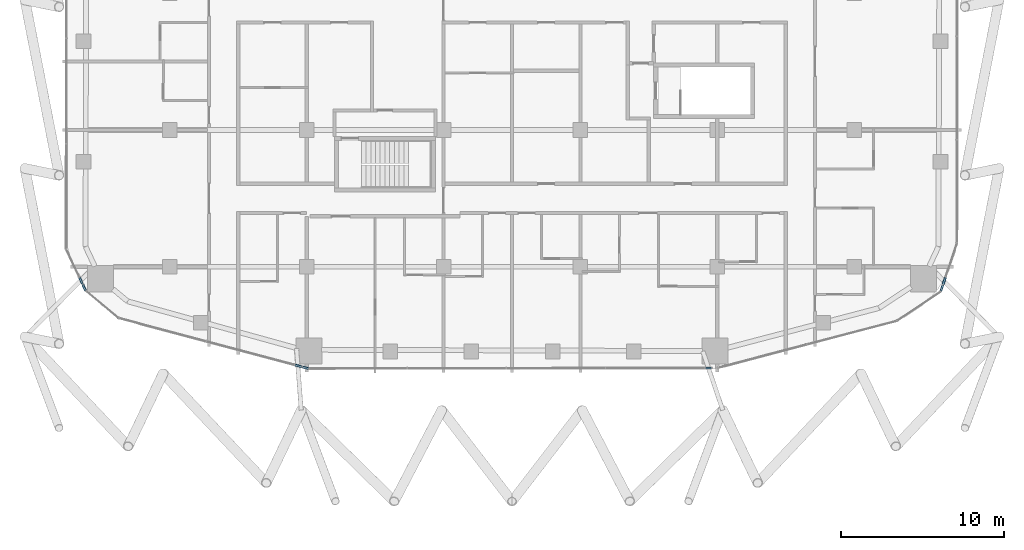
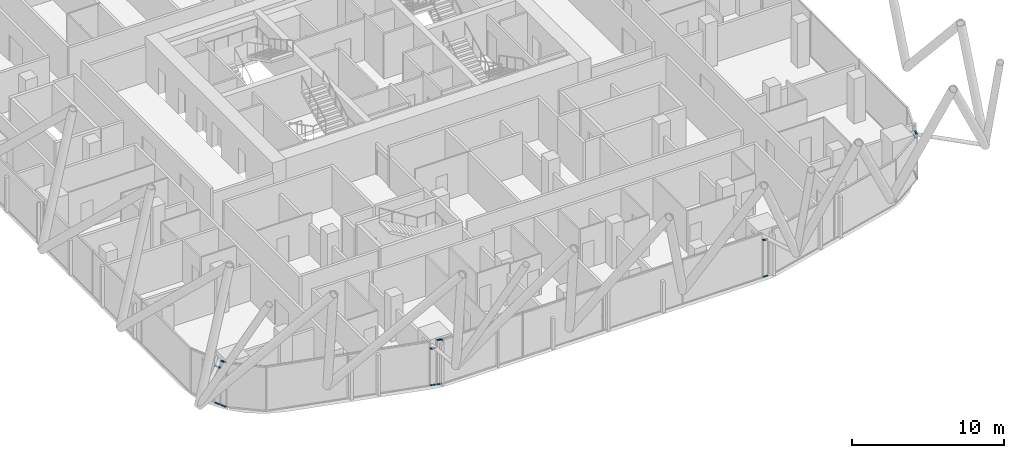
# One storey, part 17 of 34: 14 members, 7 elements without a shape of their own.
"""IFC4 building model written with IfcOpenShell, lengths in metres."""

from ifc_helpers import new_model, si_unit, direction, frame, origin, origin_2d, place, context, subcontext, project, spatial, rectangle, extrude, material, layer, layer_set, material_profile, profile_set, type_object, element, aggregate, save


model = new_model("IFC4")

# Units and contexts
model_context = context("Model", 3, precision=1e-05, world=origin(), true_north=direction((0.0, 1.0)))
body_context = subcontext(model_context, "Body", "Model", "MODEL_VIEW")
ifc_project = project(units=[si_unit("LENGTHUNIT", "METRE"), si_unit("AREAUNIT", "SQUARE_METRE"), si_unit("VOLUMEUNIT", "CUBIC_METRE"), si_unit("PLANEANGLEUNIT", "RADIAN"), si_unit("MASSUNIT", "GRAM", prefix="KILO")], contexts=[model_context])

# Site, building, storey
site_placement = place(None, origin())
site = spatial("IfcSite", under=ifc_project, at=site_placement, CompositionType="ELEMENT")
building_placement = place(site_placement, origin())
building = spatial("IfcBuilding", under=site, at=building_placement, Name="Marenta Gate Hotel Tower", CompositionType="ELEMENT")
storey_placement = place(building_placement, frame((0.0, 0.0, 166.10009765625)))
storey = spatial("IfcBuildingStorey", under=building, at=storey_placement, Name="L39", CompositionType="ELEMENT", Elevation=166.10009765625)

# Curtain wall, members
ifc_material_1 = material(Name="Tinted insulated glass in bronze anodised frame", Category="glass")
ifc_layer = layer(ifc_material_1, 0.1201171875)
ifc_layer_set = layer_set([ifc_layer], Name="Tinted insulated glass in bronze anodised frame")
curtain_wall_type = type_object("IfcCurtainWallType", Name="Tower unitised curtain wall CW1", PredefinedType="NOTDEFINED", material=ifc_layer_set)
curtain_wall_1_placement = place(storey_placement, origin())
curtain_wall_1 = element("IfcCurtainWall", 1, at=curtain_wall_1_placement, inside=storey, type_object=curtain_wall_type, Name="CW1 run G06", PredefinedType="NOTDEFINED")
ifc_material_2 = material(Name="Bronze anodised aluminium", Category="aluminium")
ifc_material_profile = material_profile(ifc_material_2, rectangle(XDim=0.1201171875, YDim=0.06005859375, at=origin_2d()), Name="Transom CW1 60x120 bronze anodised aluminium")
ifc_profile_set = profile_set([ifc_material_profile], Name="Bronze anodised aluminium")
member_type = type_object("IfcMemberType", Name="Transom CW1 60x120 bronze anodised aluminium", PredefinedType="USERDEFINED", material=ifc_profile_set)
member_1_placement = place(storey_placement, frame((-26.544189453125, -17.4677734375, 0.02978515625), z_axis=(0.423960267339, -0.905680789085, 0.0), x_axis=(0.905680789085, 0.423960267339, 0.0)))
member_1 = element("IfcMember", 2, at=member_1_placement, type_object=member_type, Name="CW1 transom 1.1", ObjectType="TRANSOM", PredefinedType="USERDEFINED", context=body_context, shape_type="SweptSolid", body=[
    extrude(rectangle(XDim=0.1201171875, YDim=0.06005859375, at=origin_2d()), origin(), (0.0, 0.0, 1.0), 0.422607421875),
])
member_2_placement = place(storey_placement, frame((-26.544189453125, -17.4677734375, 2.970458984375), z_axis=(0.423960267339, -0.905680789085, 0.0), x_axis=(0.905680789085, 0.423960267339, 0.0)))
member_2 = element("IfcMember", 3, at=member_2_placement, type_object=member_type, Name="CW1 transom 1.2", ObjectType="TRANSOM", PredefinedType="USERDEFINED", context=body_context, shape_type="SweptSolid", body=[
    extrude(rectangle(XDim=0.1201171875, YDim=0.06005859375, at=origin_2d()), origin(), (0.0, 0.0, 1.0), 0.422607421875),
])
aggregate(curtain_wall_1, [member_1, member_2])

curtain_wall_2_placement = place(storey_placement, origin())
curtain_wall_2 = element("IfcCurtainWall", 4, at=curtain_wall_2_placement, inside=storey, type_object=curtain_wall_type, Name="CW1 run G07", PredefinedType="NOTDEFINED")
member_3_placement = place(storey_placement, frame((-26.339599609375, -17.905029296875, 0.02978515625), z_axis=(0.42295417161, -0.906151073893, 0.0), x_axis=(0.906151073893, 0.42295417161, 0.0)))
member_3 = element("IfcMember", 5, at=member_3_placement, type_object=member_type, Name="CW1 transom 1.1", ObjectType="TRANSOM", PredefinedType="USERDEFINED", context=body_context, shape_type="SweptSolid", body=[
    extrude(rectangle(XDim=0.1201171875, YDim=0.06005859375, at=origin_2d()), origin(), (0.0, 0.0, 1.0), 0.38916015625),
])
member_4_placement = place(storey_placement, frame((-26.339599609375, -17.905029296875, 3.56982421875), z_axis=(0.42295417161, -0.906151073893, 0.0), x_axis=(0.906151073893, 0.42295417161, 0.0)))
member_4 = element("IfcMember", 6, at=member_4_placement, type_object=member_type, Name="CW1 transom 1.2", ObjectType="TRANSOM", PredefinedType="USERDEFINED", context=body_context, shape_type="SweptSolid", body=[
    extrude(rectangle(XDim=0.1201171875, YDim=0.06005859375, at=origin_2d()), origin(), (0.0, 0.0, 1.0), 0.38916015625),
])
aggregate(curtain_wall_2, [member_3, member_4])

curtain_wall_3_placement = place(storey_placement, origin())
curtain_wall_3 = element("IfcCurtainWall", 7, at=curtain_wall_3_placement, inside=storey, type_object=curtain_wall_type, Name="CW1 run G10", PredefinedType="NOTDEFINED")
member_5_placement = place(storey_placement, frame((-13.3193359375, -22.8310546875, 0.02978515625), z_axis=(0.966369996674, -0.257155652336, 0.0), x_axis=(0.257155652336, 0.966369996674, 0.0)))
member_5 = element("IfcMember", 8, at=member_5_placement, type_object=member_type, Name="CW1 transom 1.1", ObjectType="TRANSOM", PredefinedType="USERDEFINED", context=body_context, shape_type="SweptSolid", body=[
    extrude(rectangle(XDim=0.1201171875, YDim=0.06005859375, at=origin_2d()), origin(), (0.0, 0.0, 1.0), 0.419677734375),
])
member_6_placement = place(storey_placement, frame((-13.3193359375, -22.8310546875, 2.970458984375), z_axis=(0.966369996674, -0.257155652336, 0.0), x_axis=(0.257155652336, 0.966369996674, 0.0)))
member_6 = element("IfcMember", 9, at=member_6_placement, type_object=member_type, Name="CW1 transom 1.2", ObjectType="TRANSOM", PredefinedType="USERDEFINED", context=body_context, shape_type="SweptSolid", body=[
    extrude(rectangle(XDim=0.1201171875, YDim=0.06005859375, at=origin_2d()), origin(), (0.0, 0.0, 1.0), 0.419677734375),
])
aggregate(curtain_wall_3, [member_5, member_6])

curtain_wall_4_placement = place(storey_placement, origin())
curtain_wall_4 = element("IfcCurtainWall", 10, at=curtain_wall_4_placement, inside=storey, type_object=curtain_wall_type, Name="CW1 run G11", PredefinedType="NOTDEFINED")
member_7_placement = place(storey_placement, frame((-12.855712890625, -22.954345703125, 0.02978515625), z_axis=(0.96625731902, -0.257578713095, 0.0), x_axis=(0.257578713095, 0.96625731902, 0.0)))
member_7 = element("IfcMember", 11, at=member_7_placement, type_object=member_type, Name="CW1 transom 1.1", ObjectType="TRANSOM", PredefinedType="USERDEFINED", context=body_context, shape_type="SweptSolid", body=[
    extrude(rectangle(XDim=0.1201171875, YDim=0.06005859375, at=origin_2d()), origin(), (0.0, 0.0, 1.0), 0.362060546875),
])
member_8_placement = place(storey_placement, frame((-12.855712890625, -22.954345703125, 3.56982421875), z_axis=(0.96625731902, -0.257578713095, 0.0), x_axis=(0.257578713095, 0.96625731902, 0.0)))
member_8 = element("IfcMember", 12, at=member_8_placement, type_object=member_type, Name="CW1 transom 1.2", ObjectType="TRANSOM", PredefinedType="USERDEFINED", context=body_context, shape_type="SweptSolid", body=[
    extrude(rectangle(XDim=0.1201171875, YDim=0.06005859375, at=origin_2d()), origin(), (0.0, 0.0, 1.0), 0.362060546875),
])
aggregate(curtain_wall_4, [member_7, member_8])

curtain_wall_5_placement = place(storey_placement, origin())
curtain_wall_5 = element("IfcCurtainWall", 13, at=curtain_wall_5_placement, inside=storey, type_object=curtain_wall_type, Name="CW1 run G13", PredefinedType="NOTDEFINED")
member_9_placement = place(storey_placement, frame((11.881591796875, -23.01416015625, 0.02978515625), z_axis=(0.999999071937, 0.001362396556, 0.0), x_axis=(-0.001362396556, 0.999999071937, 0.0)))
member_9 = element("IfcMember", 14, at=member_9_placement, type_object=member_type, Name="CW1 transom 1.1", ObjectType="TRANSOM", PredefinedType="USERDEFINED", context=body_context, shape_type="SweptSolid", body=[
    extrude(rectangle(XDim=0.1201171875, YDim=0.06005859375, at=origin_2d()), origin(), (0.0, 0.0, 1.0), 0.3583984375),
])
member_10_placement = place(storey_placement, frame((11.881591796875, -23.01416015625, 2.970458984375), z_axis=(0.999999071937, 0.001362396556, 0.0), x_axis=(-0.001362396556, 0.999999071937, 0.0)))
member_10 = element("IfcMember", 15, at=member_10_placement, type_object=member_type, Name="CW1 transom 1.2", ObjectType="TRANSOM", PredefinedType="USERDEFINED", context=body_context, shape_type="SweptSolid", body=[
    extrude(rectangle(XDim=0.1201171875, YDim=0.06005859375, at=origin_2d()), origin(), (0.0, 0.0, 1.0), 0.3583984375),
])
aggregate(curtain_wall_5, [member_9, member_10])

curtain_wall_6_placement = place(storey_placement, origin())
curtain_wall_6 = element("IfcCurtainWall", 16, at=curtain_wall_6_placement, inside=storey, type_object=curtain_wall_type, Name="CW1 run G16", PredefinedType="NOTDEFINED")
member_11_placement = place(storey_placement, frame((26.32421875, -18.27783203125, 0.02978515625), z_axis=(0.322187955567, 0.946675721294, 0.0), x_axis=(-0.946675721294, 0.322187955567, 0.0)))
member_11 = element("IfcMember", 17, at=member_11_placement, type_object=member_type, Name="CW1 transom 1.1", ObjectType="TRANSOM", PredefinedType="USERDEFINED", context=body_context, shape_type="SweptSolid", body=[
    extrude(rectangle(XDim=0.1201171875, YDim=0.06005859375, at=origin_2d()), origin(), (0.0, 0.0, 1.0), 0.3681640625),
])
member_12_placement = place(storey_placement, frame((26.32421875, -18.27783203125, 3.56982421875), z_axis=(0.322187955567, 0.946675721294, 0.0), x_axis=(-0.946675721294, 0.322187955567, 0.0)))
member_12 = element("IfcMember", 18, at=member_12_placement, type_object=member_type, Name="CW1 transom 1.2", ObjectType="TRANSOM", PredefinedType="USERDEFINED", context=body_context, shape_type="SweptSolid", body=[
    extrude(rectangle(XDim=0.1201171875, YDim=0.06005859375, at=origin_2d()), origin(), (0.0, 0.0, 1.0), 0.3681640625),
])
aggregate(curtain_wall_6, [member_11, member_12])

curtain_wall_7_placement = place(storey_placement, origin())
curtain_wall_7 = element("IfcCurtainWall", 19, at=curtain_wall_7_placement, inside=storey, type_object=curtain_wall_type, Name="CW1 run G17", PredefinedType="NOTDEFINED")
member_13_placement = place(storey_placement, frame((26.462158203125, -17.872314453125, 0.02978515625), z_axis=(0.321804616278, 0.946806098915, 0.0), x_axis=(-0.946806098915, 0.321804616278, 0.0)))
member_13 = element("IfcMember", 20, at=member_13_placement, type_object=member_type, Name="CW1 transom 1.1", ObjectType="TRANSOM", PredefinedType="USERDEFINED", context=body_context, shape_type="SweptSolid", body=[
    extrude(rectangle(XDim=0.1201171875, YDim=0.06005859375, at=origin_2d()), origin(), (0.0, 0.0, 1.0), 0.446044921875),
])
member_14_placement = place(storey_placement, frame((26.462158203125, -17.872314453125, 2.970458984375), z_axis=(0.321804616278, 0.946806098915, 0.0), x_axis=(-0.946806098915, 0.321804616278, 0.0)))
member_14 = element("IfcMember", 21, at=member_14_placement, type_object=member_type, Name="CW1 transom 1.2", ObjectType="TRANSOM", PredefinedType="USERDEFINED", context=body_context, shape_type="SweptSolid", body=[
    extrude(rectangle(XDim=0.1201171875, YDim=0.06005859375, at=origin_2d()), origin(), (0.0, 0.0, 1.0), 0.446044921875),
])
aggregate(curtain_wall_7, [member_13, member_14])

save(model, "model.ifc")
